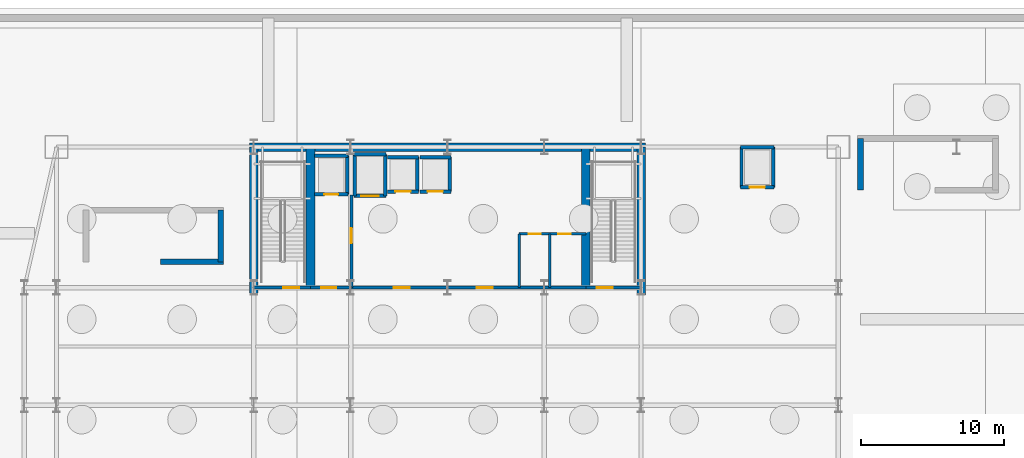
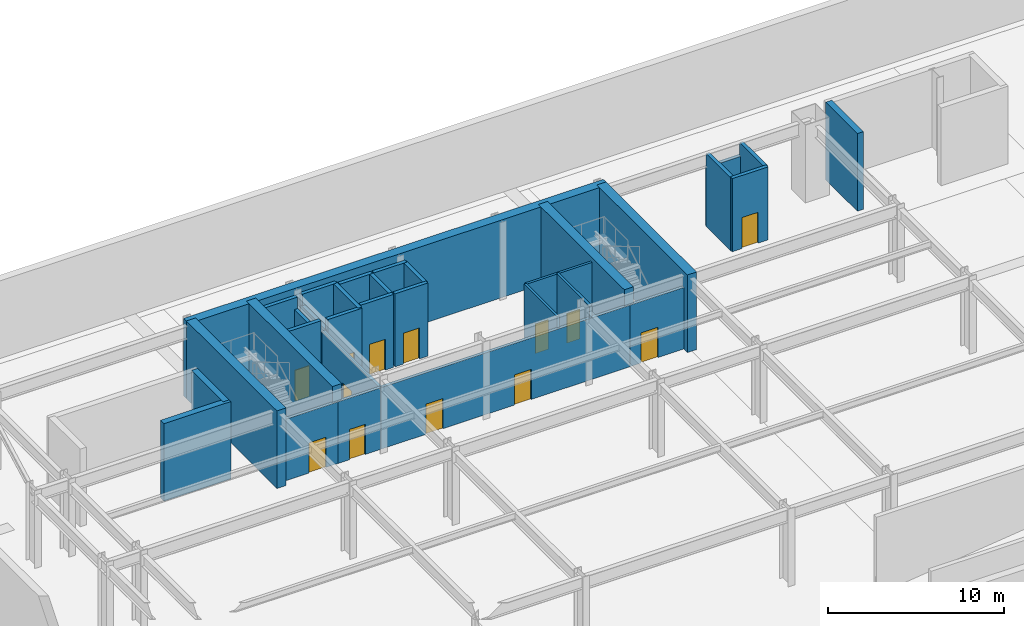
# One storey, part 6 of 15: 33 walls, 13 doors, 13 openings.
"""IFC4 building model written with IfcOpenShell, lengths in metres."""

from ifc_helpers import new_model, si_unit, direction, frame, frame_2d, origin, place, context, subcontext, project, spatial, rectangle, extrude, material, layer, layer_set, type_object, element, fill, save


model = new_model("IFC4")

# Units and contexts
model_context = context("Model", 3, precision=1e-05, world=origin(), true_north=direction((0.0, 1.0)))
body_context = subcontext(model_context, "Body", "Model", "MODEL_VIEW")
ifc_project = project(units=[si_unit("LENGTHUNIT", "METRE"), si_unit("AREAUNIT", "SQUARE_METRE"), si_unit("VOLUMEUNIT", "CUBIC_METRE"), si_unit("PLANEANGLEUNIT", "RADIAN"), si_unit("MASSUNIT", "GRAM", prefix="KILO")], contexts=[model_context])

# Site, building, storey
site_placement = place(None, origin())
site = spatial("IfcSite", under=ifc_project, at=site_placement, CompositionType="ELEMENT")
building_placement = place(site_placement, origin())
building = spatial("IfcBuilding", under=site, at=building_placement, Name="Haevon Station Towers", CompositionType="ELEMENT")
storey_placement = place(building_placement, frame((0.0, 0.0, -10.800048828125)))
storey = spatial("IfcBuildingStorey", under=building, at=storey_placement, Name="B02", CompositionType="ELEMENT", Elevation=-10.800048828125)

# Wall, opening, door
ifc_material_1 = material(Name="Gypsum board on steel stud", Category="steel")
ifc_layer_1 = layer(ifc_material_1, 0.199951171875)
ifc_layer_set_1 = layer_set([ifc_layer_1], Name="Gypsum board on steel stud")
wall_type_1 = type_object("IfcWallType", Name="WL-COR200", PredefinedType="PARTITIONING", material=ifc_layer_set_1)
wall_1_placement = place(storey_placement, frame((24.0, 38.199951171875, 0.0), z_axis=(0.0, 0.0, 1.0), x_axis=(1.0, 0.0, 0.0)))
wall_1 = element("IfcWall", 1, at=wall_1_placement, inside=storey, type_object=wall_type_1, Name="WL-ST-ST1-B02", PredefinedType="PARTITIONING", context=body_context, shape_type="SweptSolid", body=[
    extrude(rectangle(XDim=3.949951171875, YDim=0.199951171875, at=frame_2d((1.97509765625, 0.0))), origin(), (0.0, 0.0, 1.0), 4.280029296875),
])
opening_1_placement = place(wall_1_placement, frame((2.050048828125, 0.0, 0.0)))
opening_1 = element("IfcOpeningElement", 2, at=opening_1_placement, cuts=wall_1, Name="Opening DR-ST-ST1-B02", PredefinedType="OPENING", context=body_context, shape_type="SweptSolid", body=[
    extrude(rectangle(XDim=1.1201171875, YDim=2.10009765625, at=frame_2d((0.56005859375, 1.050048828125))), frame((0.0, 0.10986328125, 0.0), z_axis=(0.0, -1.0, 0.0), x_axis=(1.0, 0.0, 0.0)), (0.0, 0.0, 1.0), 0.219970703125),
])
ifc_material_2 = material(Name="Engineered oak timber", Category="wood")
door_type_1 = type_object("IfcDoorType", Name="DR-ST-1120", OperationType="NOTDEFINED", PredefinedType="DOOR", material=ifc_material_2)
door_1_placement = place(opening_1_placement, origin())
door_1 = element("IfcDoor", 3, at=door_1_placement, inside=storey, type_object=door_type_1, Name="B02 Escape Stair ST1 Fire Door", OperationType="SINGLE_SWING_LEFT", OverallHeight=2.10009765625, OverallWidth=1.1201171875, PredefinedType="DOOR", context=body_context, shape_type="SweptSolid", body=[
    extrude(rectangle(XDim=1.1201171875, YDim=2.10009765625, at=frame_2d((0.56005859375, 1.050048828125))), frame((0.0, 0.02490234375, 0.0), z_axis=(0.0, -1.0, 0.0), x_axis=(1.0, 0.0, 0.0)), (0.0, 0.0, 1.0), 0.050048828125),
])
fill(opening_1, door_1)

wall_2_placement = place(storey_placement, frame((47.14990234375, 38.199951171875, 0.0), z_axis=(0.0, 0.0, 1.0), x_axis=(1.0, 0.0, 0.0)))
wall_2 = element("IfcWall", 4, at=wall_2_placement, inside=storey, type_object=wall_type_1, Name="WL-ST-ST2-B02", PredefinedType="PARTITIONING", context=body_context, shape_type="SweptSolid", body=[
    extrude(rectangle(XDim=3.85009765625, YDim=0.199951171875, at=frame_2d((1.925048828125, 0.0))), origin(), (0.0, 0.0, 1.0), 4.280029296875),
])
opening_2_placement = place(wall_2_placement, frame((0.75, 0.0, 0.0)))
opening_2 = element("IfcOpeningElement", 5, at=opening_2_placement, cuts=wall_2, Name="Opening DR-ST-ST2-B02", PredefinedType="OPENING", context=body_context, shape_type="SweptSolid", body=[
    extrude(rectangle(XDim=1.1201171875, YDim=2.10009765625, at=frame_2d((0.56005859375, 1.050048828125))), frame((0.0, 0.10986328125, 0.0), z_axis=(0.0, -1.0, 0.0), x_axis=(1.0, 0.0, 0.0)), (0.0, 0.0, 1.0), 0.219970703125),
])
door_2_placement = place(opening_2_placement, origin())
door_2 = element("IfcDoor", 6, at=door_2_placement, inside=storey, type_object=door_type_1, Name="B02 Escape Stair ST2 Fire Door", OperationType="SINGLE_SWING_RIGHT", OverallHeight=2.10009765625, OverallWidth=1.1201171875, PredefinedType="DOOR", context=body_context, shape_type="SweptSolid", body=[
    extrude(rectangle(XDim=1.1201171875, YDim=2.10009765625, at=frame_2d((0.56005859375, 1.050048828125))), frame((0.0, 0.02490234375, 0.0), z_axis=(0.0, -1.0, 0.0), x_axis=(1.0, 0.0, 0.0)), (0.0, 0.0, 1.0), 0.050048828125),
])
fill(opening_2, door_2)

wall_3_placement = place(storey_placement, frame((30.800048828125, 38.199951171875, 0.0), z_axis=(0.0, 0.0, 1.0), x_axis=(0.0, 1.0, 0.0)))
wall_3 = element("IfcWall", 7, at=wall_3_placement, inside=storey, type_object=wall_type_1, Name="WL-T1FFL-B02-E", PredefinedType="PARTITIONING", context=body_context, shape_type="SweptSolid", body=[
    extrude(rectangle(XDim=6.449951171875, YDim=0.199951171875, at=frame_2d((3.22509765625, 0.0))), origin(), (0.0, 0.0, 1.0), 4.280029296875),
])
opening_3_placement = place(wall_3_placement, frame((3.10009765625, 0.0, 0.0)))
opening_3 = element("IfcOpeningElement", 8, at=opening_3_placement, cuts=wall_3, Name="Opening DR-T1FFL-B02-E", PredefinedType="OPENING", context=body_context, shape_type="SweptSolid", body=[
    extrude(rectangle(XDim=1.050048828125, YDim=2.10009765625, at=frame_2d((0.52490234375, 1.050048828125))), frame((0.0, 0.10986328125, 0.0), z_axis=(0.0, -1.0, 0.0), x_axis=(1.0, 0.0, 0.0)), (0.0, 0.0, 1.0), 0.219970703125),
])
door_type_2 = type_object("IfcDoorType", Name="DR-FD60-1050", OperationType="NOTDEFINED", PredefinedType="DOOR", material=ifc_material_2)
door_3_placement = place(opening_3_placement, origin())
door_3 = element("IfcDoor", 9, at=door_3_placement, inside=storey, type_object=door_type_2, Name="B02 Tower 1 Firefighting Lift Lobby Door E", OperationType="SINGLE_SWING_LEFT", OverallHeight=2.10009765625, OverallWidth=1.050048828125, PredefinedType="DOOR", context=body_context, shape_type="SweptSolid", body=[
    extrude(rectangle(XDim=1.050048828125, YDim=2.10009765625, at=frame_2d((0.52490234375, 1.050048828125))), frame((0.0, 0.02490234375, 0.0), z_axis=(0.0, -1.0, 0.0), x_axis=(1.0, 0.0, 0.0)), (0.0, 0.0, 1.0), 0.050048828125),
])
fill(opening_3, door_3)

wall_4_placement = place(storey_placement, frame((27.949951171875, 38.199951171875, 0.0), z_axis=(0.0, 0.0, 1.0), x_axis=(1.0, 0.0, 0.0)))
wall_4 = element("IfcWall", 10, at=wall_4_placement, inside=storey, type_object=wall_type_1, Name="WL-T1FFL-B02-S", PredefinedType="PARTITIONING", context=body_context, shape_type="SweptSolid", body=[
    extrude(rectangle(XDim=2.85009765625, YDim=0.199951171875, at=frame_2d((1.425048828125, 0.0))), origin(), (0.0, 0.0, 1.0), 4.280029296875),
])
opening_4_placement = place(wall_4_placement, frame((0.75, 0.0, 0.0)))
opening_4 = element("IfcOpeningElement", 11, at=opening_4_placement, cuts=wall_4, Name="Opening DR-T1FFL-B02-S", PredefinedType="OPENING", context=body_context, shape_type="SweptSolid", body=[
    extrude(rectangle(XDim=1.050048828125, YDim=2.10009765625, at=frame_2d((0.52490234375, 1.050048828125))), frame((0.0, 0.10986328125, 0.0), z_axis=(0.0, -1.0, 0.0), x_axis=(1.0, 0.0, 0.0)), (0.0, 0.0, 1.0), 0.219970703125),
])
door_4_placement = place(opening_4_placement, origin())
door_4 = element("IfcDoor", 12, at=door_4_placement, inside=storey, type_object=door_type_2, Name="B02 Tower 1 Firefighting Lift Lobby Door S", OperationType="SINGLE_SWING_RIGHT", OverallHeight=2.10009765625, OverallWidth=1.050048828125, PredefinedType="DOOR", context=body_context, shape_type="SweptSolid", body=[
    extrude(rectangle(XDim=1.050048828125, YDim=2.10009765625, at=frame_2d((0.52490234375, 1.050048828125))), frame((0.0, 0.02490234375, 0.0), z_axis=(0.0, -1.0, 0.0), x_axis=(1.0, 0.0, 0.0)), (0.0, 0.0, 1.0), 0.050048828125),
])
fill(opening_4, door_4)

# Wall, openings, doors
wall_5_placement = place(storey_placement, frame((30.800048828125, 38.199951171875, 0.0), z_axis=(0.0, 0.0, 1.0), x_axis=(1.0, 0.0, 0.0)))
wall_5 = element("IfcWall", 13, at=wall_5_placement, inside=storey, type_object=wall_type_1, Name="WL-T1CLB-B02", PredefinedType="PARTITIONING", context=body_context, shape_type="SweptSolid", body=[
    extrude(rectangle(XDim=16.349853515625, YDim=0.199951171875, at=frame_2d((8.1748046875, 0.0))), origin(), (0.0, 0.0, 1.0), 4.280029296875),
])
opening_5_placement = place(wall_5_placement, frame((2.949951171875, 0.0, 0.0)))
opening_5 = element("IfcOpeningElement", 14, at=opening_5_placement, cuts=wall_5, Name="Opening DR-T1CLB-B02-1", PredefinedType="OPENING", context=body_context, shape_type="SweptSolid", body=[
    extrude(rectangle(XDim=1.1201171875, YDim=2.10009765625, at=frame_2d((0.56005859375, 1.050048828125))), frame((0.0, 0.10986328125, 0.0), z_axis=(0.0, -1.0, 0.0), x_axis=(1.0, 0.0, 0.0)), (0.0, 0.0, 1.0), 0.219970703125),
])
opening_6_placement = place(wall_5_placement, frame((8.75, 0.0, 0.0)))
opening_6 = element("IfcOpeningElement", 15, at=opening_6_placement, cuts=wall_5, Name="Opening DR-T1CLB-B02-2", PredefinedType="OPENING", context=body_context, shape_type="SweptSolid", body=[
    extrude(rectangle(XDim=1.1201171875, YDim=2.10009765625, at=frame_2d((0.56005859375, 1.050048828125))), frame((0.0, 0.10986328125, 0.0), z_axis=(0.0, -1.0, 0.0), x_axis=(1.0, 0.0, 0.0)), (0.0, 0.0, 1.0), 0.219970703125),
])
door_5_placement = place(opening_5_placement, origin())
door_5 = element("IfcDoor", 16, at=door_5_placement, inside=storey, type_object=door_type_1, Name="B02 Tower 1 Core Lift Lobby Door 1", OperationType="SINGLE_SWING_LEFT", OverallHeight=2.10009765625, OverallWidth=1.1201171875, PredefinedType="DOOR", context=body_context, shape_type="SweptSolid", body=[
    extrude(rectangle(XDim=1.1201171875, YDim=2.10009765625, at=frame_2d((0.56005859375, 1.050048828125))), frame((0.0, 0.02490234375, 0.0), z_axis=(0.0, -1.0, 0.0), x_axis=(1.0, 0.0, 0.0)), (0.0, 0.0, 1.0), 0.050048828125),
])
fill(opening_5, door_5)
door_6_placement = place(opening_6_placement, origin())
door_6 = element("IfcDoor", 17, at=door_6_placement, inside=storey, type_object=door_type_1, Name="B02 Tower 1 Core Lift Lobby Door 2", OperationType="SINGLE_SWING_RIGHT", OverallHeight=2.10009765625, OverallWidth=1.1201171875, PredefinedType="DOOR", context=body_context, shape_type="SweptSolid", body=[
    extrude(rectangle(XDim=1.1201171875, YDim=2.10009765625, at=frame_2d((0.56005859375, 1.050048828125))), frame((0.0, 0.02490234375, 0.0), z_axis=(0.0, -1.0, 0.0), x_axis=(1.0, 0.0, 0.0)), (0.0, 0.0, 1.0), 0.050048828125),
])
fill(opening_6, door_6)

# Walls
ifc_material_3 = material(Name="Concrete C60/75", Category="concrete")
ifc_layer_2 = layer(ifc_material_3, 0.39990234375)
ifc_layer_set_2 = layer_set([ifc_layer_2], Name="Concrete C60/75")
wall_type_2 = type_object("IfcWallType", Name="WL-CR400", PredefinedType="SHEAR", material=ifc_layer_set_2)
wall_6_placement = place(storey_placement, frame((21.699951171875, 40.0, 0.0), z_axis=(0.0, 0.0, 1.0), x_axis=(0.0, 1.0, 0.0)))
element("IfcWall", 18, at=wall_6_placement, inside=storey, type_object=wall_type_2, Name="WL-ST5CR-B02-E", PredefinedType="SHEAR", context=body_context, shape_type="SweptSolid", body=[
    extrude(rectangle(XDim=3.60009765625, YDim=0.39990234375, at=frame_2d((1.800048828125, 0.0))), origin(), (0.0, 0.0, 1.0), 5.400146484375),
])
wall_7_placement = place(storey_placement, frame((17.5, 40.0, 0.0), z_axis=(0.0, 0.0, 1.0), x_axis=(1.0, 0.0, 0.0)))
element("IfcWall", 19, at=wall_7_placement, inside=storey, type_object=wall_type_2, Name="WL-ST5CR-B02-S2", PredefinedType="SHEAR", context=body_context, shape_type="SweptSolid", body=[
    extrude(rectangle(XDim=4.39990234375, YDim=0.39990234375, at=frame_2d((2.199951171875, 0.0))), origin(), (0.0, 0.0, 1.0), 5.400146484375),
])
wall_8_placement = place(storey_placement, frame((66.300048828125, 45.0, 0.0), z_axis=(0.0, 0.0, 1.0), x_axis=(0.0, 1.0, 0.0)))
element("IfcWall", 20, at=wall_8_placement, inside=storey, type_object=wall_type_2, Name="WL-ST6CR-B02-W", PredefinedType="SHEAR", context=body_context, shape_type="SweptSolid", body=[
    extrude(rectangle(XDim=3.60009765625, YDim=0.39990234375, at=frame_2d((1.800048828125, 0.0))), origin(), (0.0, 0.0, 1.0), 5.400146484375),
])
ifc_layer_3 = layer(ifc_material_3, 0.60009765625)
ifc_layer_set_3 = layer_set([ifc_layer_3], Name="Concrete C60/75")
wall_type_3 = type_object("IfcWallType", Name="WL-CR600", PredefinedType="SHEAR", material=ifc_layer_set_3)
wall_9_placement = place(storey_placement, frame((23.699951171875, 48.0, 0.0), z_axis=(0.0, 0.0, 1.0), x_axis=(1.0, 0.0, 0.0)))
element("IfcWall", 21, at=wall_9_placement, inside=storey, type_object=wall_type_3, Name="WL-T1CR-B02-N", PredefinedType="SHEAR", context=body_context, shape_type="SweptSolid", body=[
    extrude(rectangle(XDim=27.60009765625, YDim=0.60009765625, at=frame_2d((13.800048828125, 0.0))), origin(), (0.0, 0.0, 1.0), 5.400146484375),
])
for number, where, z_axis, x_axis, name in (
    (22, (24.0, 37.679931640625, 0.0), (0.0, 0.0, 1.0), (0.0, 1.0, 0.0), "WL-T1CR-B02-W"),
    (23, (51.0, 37.679931640625, 0.0), (0.0, 0.0, 1.0), (0.0, 1.0, 0.0), "WL-T1CR-B02-E"),
):
    element("IfcWall", number, at=place(storey_placement, frame(where, z_axis=z_axis, x_axis=x_axis)), inside=storey, type_object=wall_type_3, Name=name, PredefinedType="SHEAR", context=body_context, shape_type="SweptSolid", body=[
        extrude(rectangle(XDim=10.320068359375, YDim=0.60009765625, at=frame_2d((5.16015625, 0.0))), origin(), (0.0, 0.0, 1.0), 5.400146484375),
    ])
for number, where, z_axis, x_axis, name in (
    (24, (27.949951171875, 38.199951171875, 0.0), (0.0, 0.0, 1.0), (0.0, 1.0, 0.0), "WL-T1CR-B02-M1"),
    (25, (47.14990234375, 38.199951171875, 0.0), (0.0, 0.0, 1.0), (0.0, 1.0, 0.0), "WL-T1CR-B02-M2"),
):
    element("IfcWall", number, at=place(storey_placement, frame(where, z_axis=z_axis, x_axis=x_axis)), inside=storey, type_object=wall_type_3, Name=name, PredefinedType="SHEAR", context=body_context, shape_type="SweptSolid", body=[
        extrude(rectangle(XDim=9.800048828125, YDim=0.60009765625, at=frame_2d((4.89990234375, 0.0))), origin(), (0.0, 0.0, 1.0), 5.400146484375),
    ])
ifc_layer_4 = layer(ifc_material_1, 0.159912109375)
ifc_layer_set_4 = layer_set([ifc_layer_4], Name="Gypsum board on steel stud")
wall_type_4 = type_object("IfcWallType", Name="WL-PRT160", PredefinedType="PARTITIONING", material=ifc_layer_set_4)
for number, where, z_axis, x_axis, name in (
    (26, (42.5, 38.199951171875, 0.0), (0.0, 0.0, 1.0), (0.0, 1.0, 0.0), "WL-T1CW-B02-01"),
    (27, (44.6298828125, 38.199951171875, 0.0), (0.0, 0.0, 1.0), (0.0, 1.0, 0.0), "WL-T1CW-B02-02"),
):
    element("IfcWall", number, at=place(storey_placement, frame(where, z_axis=z_axis, x_axis=x_axis)), inside=storey, type_object=wall_type_4, Name=name, PredefinedType="PARTITIONING", context=body_context, shape_type="SweptSolid", body=[
        extrude(rectangle(XDim=3.75, YDim=0.159912109375, at=frame_2d((1.875, 0.0))), origin(), (0.0, 0.0, 1.0), 5.080078125),
    ])

# Wall, openings, doors
wall_10_placement = place(storey_placement, frame((42.5, 41.949951171875, 0.0), z_axis=(0.0, 0.0, 1.0), x_axis=(1.0, 0.0, 0.0)))
wall_10 = element("IfcWall", 28, at=wall_10_placement, inside=storey, type_object=wall_type_4, Name="WL-T1CW-B02-03", PredefinedType="PARTITIONING", context=body_context, shape_type="SweptSolid", body=[
    extrude(rectangle(XDim=4.64990234375, YDim=0.159912109375, at=frame_2d((2.324951171875, 0.0))), origin(), (0.0, 0.0, 1.0), 5.080078125),
])
opening_7_placement = place(wall_10_placement, frame((0.659912109375, 0.0, 0.0)))
opening_7 = element("IfcOpeningElement", 29, at=opening_7_placement, cuts=wall_10, Name="Opening DR-WL-T1CW-B02-03-1", PredefinedType="OPENING", context=body_context, shape_type="SweptSolid", body=[
    extrude(rectangle(XDim=0.85009765625, YDim=2.050048828125, at=frame_2d((0.425048828125, 1.02490234375))), frame((0.0, 0.08984375, 0.0), z_axis=(0.0, -1.0, 0.0), x_axis=(1.0, 0.0, 0.0)), (0.0, 0.0, 1.0), 0.179931640625),
])
opening_8_placement = place(wall_10_placement, frame((2.72998046875, 0.0, 0.0)))
opening_8 = element("IfcOpeningElement", 30, at=opening_8_placement, cuts=wall_10, Name="Opening DR-WL-T1CW-B02-03-2", PredefinedType="OPENING", context=body_context, shape_type="SweptSolid", body=[
    extrude(rectangle(XDim=0.85009765625, YDim=2.050048828125, at=frame_2d((0.425048828125, 1.02490234375))), frame((0.0, 0.08984375, 0.0), z_axis=(0.0, -1.0, 0.0), x_axis=(1.0, 0.0, 0.0)), (0.0, 0.0, 1.0), 0.179931640625),
])
door_type_3 = type_object("IfcDoorType", Name="DR-FD30-850", OperationType="NOTDEFINED", PredefinedType="DOOR", material=ifc_material_2)
door_7_placement = place(opening_7_placement, origin())
door_7 = element("IfcDoor", 31, at=door_7_placement, inside=storey, type_object=door_type_3, Name="B02 Tower 1 Core Room Door 3-1", OperationType="SINGLE_SWING_LEFT", OverallHeight=2.050048828125, OverallWidth=0.85009765625, PredefinedType="DOOR", context=body_context, shape_type="SweptSolid", body=[
    extrude(rectangle(XDim=0.85009765625, YDim=2.050048828125, at=frame_2d((0.425048828125, 1.02490234375))), frame((0.0, 0.02490234375, 0.0), z_axis=(0.0, -1.0, 0.0), x_axis=(1.0, 0.0, 0.0)), (0.0, 0.0, 1.0), 0.050048828125),
])
fill(opening_7, door_7)
door_8_placement = place(opening_8_placement, origin())
door_8 = element("IfcDoor", 32, at=door_8_placement, inside=storey, type_object=door_type_3, Name="B02 Tower 1 Core Room Door 3-2", OperationType="SINGLE_SWING_RIGHT", OverallHeight=2.050048828125, OverallWidth=0.85009765625, PredefinedType="DOOR", context=body_context, shape_type="SweptSolid", body=[
    extrude(rectangle(XDim=0.85009765625, YDim=2.050048828125, at=frame_2d((0.425048828125, 1.02490234375))), frame((0.0, 0.02490234375, 0.0), z_axis=(0.0, -1.0, 0.0), x_axis=(1.0, 0.0, 0.0)), (0.0, 0.0, 1.0), 0.050048828125),
])
fill(opening_8, door_8)

# Wall, opening, door
ifc_material_4 = material(Name="Concrete C40/50", Category="concrete")
ifc_layer_5 = layer(ifc_material_4, 0.239990234375)
ifc_layer_set_5 = layer_set([ifc_layer_5], Name="Concrete C40/50")
wall_type_5 = type_object("IfcWallType", Name="WL-SHF240", PredefinedType="PARTITIONING", material=ifc_layer_set_5)
wall_11_placement = place(storey_placement, frame((28.219970703125, 44.699951171875, 0.0), z_axis=(0.0, 0.0, 1.0), x_axis=(1.0, 0.0, 0.0)))
wall_11 = element("IfcWall", 33, at=wall_11_placement, inside=storey, type_object=wall_type_5, Name="WL-SHF-FL1-B02", PredefinedType="PARTITIONING", context=body_context, shape_type="SweptSolid", body=[
    extrude(rectangle(XDim=2.360107421875, YDim=0.239990234375, at=frame_2d((1.18017578125, 0.0))), origin(), (0.0, 0.0, 1.0), 5.080078125),
])
opening_9_placement = place(wall_11_placement, frame((0.705078125, 0.0, 0.0)))
opening_9 = element("IfcOpeningElement", 34, at=opening_9_placement, cuts=wall_11, Name="Opening LD-FL1-B02", PredefinedType="OPENING", context=body_context, shape_type="SweptSolid", body=[
    extrude(rectangle(XDim=0.949951171875, YDim=2.14990234375, at=frame_2d((0.47509765625, 1.074951171875))), frame((0.0, 0.1298828125, 0.0), z_axis=(0.0, -1.0, 0.0), x_axis=(1.0, 0.0, 0.0)), (0.0, 0.0, 1.0), 0.260009765625),
])
ifc_material_5 = material(Name="Stainless steel and rated core", Category="steel")
door_type_4 = type_object("IfcDoorType", Name="LD-FL950", OperationType="SLIDING_TO_LEFT", PredefinedType="DOOR", material=ifc_material_5)
door_9_placement = place(opening_9_placement, origin())
door_9 = element("IfcDoor", 35, at=door_9_placement, inside=storey, type_object=door_type_4, Name="B02 Lift FL1 Sliding Landing Door", OperationType="SLIDING_TO_LEFT", OverallHeight=2.14990234375, OverallWidth=0.949951171875, PredefinedType="DOOR", context=body_context, shape_type="SweptSolid", body=[
    extrude(rectangle(XDim=0.949951171875, YDim=2.14990234375, at=frame_2d((0.47509765625, 1.074951171875))), frame((0.0, 0.02490234375, 0.0), z_axis=(0.0, -1.0, 0.0), x_axis=(1.0, 0.0, 0.0)), (0.0, 0.0, 1.0), 0.050048828125),
])
fill(opening_9, door_9)

# Walls
wall_12_placement = place(storey_placement, frame((28.219970703125, 47.39990234375, 0.0), z_axis=(0.0, 0.0, 1.0), x_axis=(1.0, 0.0, 0.0)))
element("IfcWall", 36, at=wall_12_placement, inside=storey, type_object=wall_type_5, Name="WL-SHF-FL1-B02-N", PredefinedType="PARTITIONING", context=body_context, shape_type="SweptSolid", body=[
    extrude(rectangle(XDim=2.360107421875, YDim=0.239990234375, at=frame_2d((1.18017578125, 0.0))), origin(), (0.0, 0.0, 1.0), 5.080078125),
])
wall_13_placement = place(storey_placement, frame((30.5, 44.699951171875, 0.0), z_axis=(0.0, 0.0, 1.0), x_axis=(0.0, 1.0, 0.0)))
element("IfcWall", 37, at=wall_13_placement, inside=storey, type_object=wall_type_5, Name="WL-SHF-FL1-B02-E", PredefinedType="PARTITIONING", context=body_context, shape_type="SweptSolid", body=[
    extrude(rectangle(XDim=2.699951171875, YDim=0.239990234375, at=frame_2d((1.35009765625, 0.0))), origin(), (0.0, 0.0, 1.0), 4.280029296875),
])

# Wall, opening, door
wall_14_placement = place(storey_placement, frame((30.969970703125, 44.60009765625, 0.0), z_axis=(0.0, 0.0, 1.0), x_axis=(1.0, 0.0, 0.0)))
wall_14 = element("IfcWall", 38, at=wall_14_placement, inside=storey, type_object=wall_type_5, Name="WL-SHF-SL1-B02", PredefinedType="PARTITIONING", context=body_context, shape_type="SweptSolid", body=[
    extrude(rectangle(XDim=2.260009765625, YDim=0.239990234375, at=frame_2d((1.1298828125, 0.0))), origin(), (0.0, 0.0, 1.0), 5.080078125),
])
opening_10_placement = place(wall_14_placement, frame((0.5048828125, 0.0, 0.0)))
opening_10 = element("IfcOpeningElement", 39, at=opening_10_placement, cuts=wall_14, Name="Opening LD-SL1-B02", PredefinedType="OPENING", context=body_context, shape_type="SweptSolid", body=[
    extrude(rectangle(XDim=1.25, YDim=2.199951171875, at=frame_2d((0.625, 1.10009765625))), frame((0.0, 0.1298828125, 0.0), z_axis=(0.0, -1.0, 0.0), x_axis=(1.0, 0.0, 0.0)), (0.0, 0.0, 1.0), 0.260009765625),
])
door_type_5 = type_object("IfcDoorType", Name="LD-SL1250", OperationType="SLIDING_TO_LEFT", PredefinedType="DOOR", material=ifc_material_5)
door_10_placement = place(opening_10_placement, origin())
door_10 = element("IfcDoor", 40, at=door_10_placement, inside=storey, type_object=door_type_5, Name="B02 Lift SL1 Sliding Landing Door", OperationType="SLIDING_TO_LEFT", OverallHeight=2.199951171875, OverallWidth=1.25, PredefinedType="DOOR", context=body_context, shape_type="SweptSolid", body=[
    extrude(rectangle(XDim=1.25, YDim=2.199951171875, at=frame_2d((0.625, 1.10009765625))), frame((0.0, 0.02490234375, 0.0), z_axis=(0.0, -1.0, 0.0), x_axis=(1.0, 0.0, 0.0)), (0.0, 0.0, 1.0), 0.050048828125),
])
fill(opening_10, door_10)

# Walls
wall_15_placement = place(storey_placement, frame((30.969970703125, 47.5, 0.0), z_axis=(0.0, 0.0, 1.0), x_axis=(1.0, 0.0, 0.0)))
element("IfcWall", 41, at=wall_15_placement, inside=storey, type_object=wall_type_5, Name="WL-SHF-SL1-B02-N", PredefinedType="PARTITIONING", context=body_context, shape_type="SweptSolid", body=[
    extrude(rectangle(XDim=2.260009765625, YDim=0.239990234375, at=frame_2d((1.1298828125, 0.0))), origin(), (0.0, 0.0, 1.0), 5.080078125),
])
wall_16_placement = place(storey_placement, frame((31.050048828125, 44.60009765625, 0.0), z_axis=(0.0, 0.0, 1.0), x_axis=(0.0, 1.0, 0.0)))
element("IfcWall", 42, at=wall_16_placement, inside=storey, type_object=wall_type_5, Name="WL-SHF-SL1-B02-W", PredefinedType="PARTITIONING", context=body_context, shape_type="SweptSolid", body=[
    extrude(rectangle(XDim=2.89990234375, YDim=0.239990234375, at=frame_2d((1.449951171875, 0.0))), origin(), (0.0, 0.0, 1.0), 4.280029296875),
])
wall_17_placement = place(storey_placement, frame((33.14990234375, 44.60009765625, 0.0), z_axis=(0.0, 0.0, 1.0), x_axis=(0.0, 1.0, 0.0)))
element("IfcWall", 43, at=wall_17_placement, inside=storey, type_object=wall_type_5, Name="WL-SHF-SL1-B02-E", PredefinedType="PARTITIONING", context=body_context, shape_type="SweptSolid", body=[
    extrude(rectangle(XDim=2.89990234375, YDim=0.239990234375, at=frame_2d((1.449951171875, 0.0))), origin(), (0.0, 0.0, 1.0), 5.080078125),
])

# Wall, opening, door
wall_18_placement = place(storey_placement, frame((33.320068359375, 44.89990234375, 0.0), z_axis=(0.0, 0.0, 1.0), x_axis=(1.0, 0.0, 0.0)))
wall_18 = element("IfcWall", 44, at=wall_18_placement, inside=storey, type_object=wall_type_5, Name="WL-SHF-PL1-B02", PredefinedType="PARTITIONING", context=body_context, shape_type="SweptSolid", body=[
    extrude(rectangle(XDim=2.159912109375, YDim=0.239990234375, at=frame_2d((1.080078125, 0.0))), origin(), (0.0, 0.0, 1.0), 5.080078125),
])
opening_11_placement = place(wall_18_placement, frame((0.554931640625, 0.0, 0.0)))
opening_11 = element("IfcOpeningElement", 45, at=opening_11_placement, cuts=wall_18, Name="Opening LD-PL1-B02", PredefinedType="OPENING", context=body_context, shape_type="SweptSolid", body=[
    extrude(rectangle(XDim=1.050048828125, YDim=2.14990234375, at=frame_2d((0.52490234375, 1.074951171875))), frame((0.0, 0.1298828125, 0.0), z_axis=(0.0, -1.0, 0.0), x_axis=(1.0, 0.0, 0.0)), (0.0, 0.0, 1.0), 0.260009765625),
])
door_type_6 = type_object("IfcDoorType", Name="LD-PL1050", OperationType="SLIDING_TO_LEFT", PredefinedType="DOOR", material=ifc_material_5)
door_11_placement = place(opening_11_placement, origin())
door_11 = element("IfcDoor", 46, at=door_11_placement, inside=storey, type_object=door_type_6, Name="B02 Lift PL1 Sliding Landing Door", OperationType="SLIDING_TO_LEFT", OverallHeight=2.14990234375, OverallWidth=1.050048828125, PredefinedType="DOOR", context=body_context, shape_type="SweptSolid", body=[
    extrude(rectangle(XDim=1.050048828125, YDim=2.14990234375, at=frame_2d((0.52490234375, 1.074951171875))), frame((0.0, 0.02490234375, 0.0), z_axis=(0.0, -1.0, 0.0), x_axis=(1.0, 0.0, 0.0)), (0.0, 0.0, 1.0), 0.050048828125),
])
fill(opening_11, door_11)

# Walls
wall_19_placement = place(storey_placement, frame((33.320068359375, 47.300048828125, 0.0), z_axis=(0.0, 0.0, 1.0), x_axis=(1.0, 0.0, 0.0)))
element("IfcWall", 47, at=wall_19_placement, inside=storey, type_object=wall_type_5, Name="WL-SHF-PL1-B02-N", PredefinedType="PARTITIONING", context=body_context, shape_type="SweptSolid", body=[
    extrude(rectangle(XDim=2.159912109375, YDim=0.239990234375, at=frame_2d((1.080078125, 0.0))), origin(), (0.0, 0.0, 1.0), 5.080078125),
])
wall_20_placement = place(storey_placement, frame((35.39990234375, 44.89990234375, 0.0), z_axis=(0.0, 0.0, 1.0), x_axis=(0.0, 1.0, 0.0)))
element("IfcWall", 48, at=wall_20_placement, inside=storey, type_object=wall_type_5, Name="WL-SHF-PL1-B02-E", PredefinedType="PARTITIONING", context=body_context, shape_type="SweptSolid", body=[
    extrude(rectangle(XDim=2.400146484375, YDim=0.239990234375, at=frame_2d((1.2001953125, 0.0))), origin(), (0.0, 0.0, 1.0), 5.080078125),
])

# Wall, opening, door
wall_21_placement = place(storey_placement, frame((35.570068359375, 44.89990234375, 0.0), z_axis=(0.0, 0.0, 1.0), x_axis=(1.0, 0.0, 0.0)))
wall_21 = element("IfcWall", 49, at=wall_21_placement, inside=storey, type_object=wall_type_5, Name="WL-SHF-PL2-B02", PredefinedType="PARTITIONING", context=body_context, shape_type="SweptSolid", body=[
    extrude(rectangle(XDim=2.159912109375, YDim=0.239990234375, at=frame_2d((1.080078125, 0.0))), origin(), (0.0, 0.0, 1.0), 5.080078125),
])
opening_12_placement = place(wall_21_placement, frame((0.554931640625, 0.0, 0.0)))
opening_12 = element("IfcOpeningElement", 50, at=opening_12_placement, cuts=wall_21, Name="Opening LD-PL2-B02", PredefinedType="OPENING", context=body_context, shape_type="SweptSolid", body=[
    extrude(rectangle(XDim=1.050048828125, YDim=2.14990234375, at=frame_2d((0.52490234375, 1.074951171875))), frame((0.0, 0.1298828125, 0.0), z_axis=(0.0, -1.0, 0.0), x_axis=(1.0, 0.0, 0.0)), (0.0, 0.0, 1.0), 0.260009765625),
])
door_12_placement = place(opening_12_placement, origin())
door_12 = element("IfcDoor", 51, at=door_12_placement, inside=storey, type_object=door_type_6, Name="B02 Lift PL2 Sliding Landing Door", OperationType="SLIDING_TO_LEFT", OverallHeight=2.14990234375, OverallWidth=1.050048828125, PredefinedType="DOOR", context=body_context, shape_type="SweptSolid", body=[
    extrude(rectangle(XDim=1.050048828125, YDim=2.14990234375, at=frame_2d((0.52490234375, 1.074951171875))), frame((0.0, 0.02490234375, 0.0), z_axis=(0.0, -1.0, 0.0), x_axis=(1.0, 0.0, 0.0)), (0.0, 0.0, 1.0), 0.050048828125),
])
fill(opening_12, door_12)

# Walls
wall_22_placement = place(storey_placement, frame((35.570068359375, 47.300048828125, 0.0), z_axis=(0.0, 0.0, 1.0), x_axis=(1.0, 0.0, 0.0)))
element("IfcWall", 52, at=wall_22_placement, inside=storey, type_object=wall_type_5, Name="WL-SHF-PL2-B02-N", PredefinedType="PARTITIONING", context=body_context, shape_type="SweptSolid", body=[
    extrude(rectangle(XDim=2.159912109375, YDim=0.239990234375, at=frame_2d((1.080078125, 0.0))), origin(), (0.0, 0.0, 1.0), 5.080078125),
])
wall_23_placement = place(storey_placement, frame((37.64990234375, 44.89990234375, 0.0), z_axis=(0.0, 0.0, 1.0), x_axis=(0.0, 1.0, 0.0)))
element("IfcWall", 53, at=wall_23_placement, inside=storey, type_object=wall_type_5, Name="WL-SHF-PL2-B02-E", PredefinedType="PARTITIONING", context=body_context, shape_type="SweptSolid", body=[
    extrude(rectangle(XDim=2.400146484375, YDim=0.239990234375, at=frame_2d((1.2001953125, 0.0))), origin(), (0.0, 0.0, 1.0), 5.080078125),
])

# Wall, opening, door
wall_24_placement = place(storey_placement, frame((57.919921875, 45.199951171875, 0.0), z_axis=(0.0, 0.0, 1.0), x_axis=(1.0, 0.0, 0.0)))
wall_24 = element("IfcWall", 54, at=wall_24_placement, inside=storey, type_object=wall_type_5, Name="WL-SHF-PL11-B02", PredefinedType="PARTITIONING", context=body_context, shape_type="SweptSolid", body=[
    extrude(rectangle(XDim=2.360107421875, YDim=0.239990234375, at=frame_2d((1.18017578125, 0.0))), origin(), (0.0, 0.0, 1.0), 5.080078125),
])
opening_13_placement = place(wall_24_placement, frame((0.655029296875, 0.0, 0.0)))
opening_13 = element("IfcOpeningElement", 55, at=opening_13_placement, cuts=wall_24, Name="Opening LD-PL11-B02", PredefinedType="OPENING", context=body_context, shape_type="SweptSolid", body=[
    extrude(rectangle(XDim=1.050048828125, YDim=2.14990234375, at=frame_2d((0.52490234375, 1.074951171875))), frame((0.0, 0.1298828125, 0.0), z_axis=(0.0, -1.0, 0.0), x_axis=(1.0, 0.0, 0.0)), (0.0, 0.0, 1.0), 0.260009765625),
])
door_13_placement = place(opening_13_placement, origin())
door_13 = element("IfcDoor", 56, at=door_13_placement, inside=storey, type_object=door_type_6, Name="B02 Lift PL11 Sliding Landing Door", OperationType="SLIDING_TO_LEFT", OverallHeight=2.14990234375, OverallWidth=1.050048828125, PredefinedType="DOOR", context=body_context, shape_type="SweptSolid", body=[
    extrude(rectangle(XDim=1.050048828125, YDim=2.14990234375, at=frame_2d((0.52490234375, 1.074951171875))), frame((0.0, 0.02490234375, 0.0), z_axis=(0.0, -1.0, 0.0), x_axis=(1.0, 0.0, 0.0)), (0.0, 0.0, 1.0), 0.050048828125),
])
fill(opening_13, door_13)

# Walls
wall_25_placement = place(storey_placement, frame((57.919921875, 48.0, 0.0), z_axis=(0.0, 0.0, 1.0), x_axis=(1.0, 0.0, 0.0)))
element("IfcWall", 57, at=wall_25_placement, inside=storey, type_object=wall_type_5, Name="WL-SHF-PL11-B02-N", PredefinedType="PARTITIONING", context=body_context, shape_type="SweptSolid", body=[
    extrude(rectangle(XDim=2.360107421875, YDim=0.239990234375, at=frame_2d((1.18017578125, 0.0))), origin(), (0.0, 0.0, 1.0), 4.179931640625),
])
for number, where, z_axis, x_axis, name in (
    (58, (58.0, 45.199951171875, 0.0), (0.0, 0.0, 1.0), (0.0, 1.0, 0.0), "WL-SHF-PL11-B02-W"),
    (59, (60.199951171875, 45.199951171875, 0.0), (0.0, 0.0, 1.0), (0.0, 1.0, 0.0), "WL-SHF-PL11-B02-E"),
):
    element("IfcWall", number, at=place(storey_placement, frame(where, z_axis=z_axis, x_axis=x_axis)), inside=storey, type_object=wall_type_5, Name=name, PredefinedType="PARTITIONING", context=body_context, shape_type="SweptSolid", body=[
        extrude(rectangle(XDim=2.800048828125, YDim=0.239990234375, at=frame_2d((1.39990234375, 0.0))), origin(), (0.0, 0.0, 1.0), 5.080078125),
    ])

save(model, "model.ifc")
